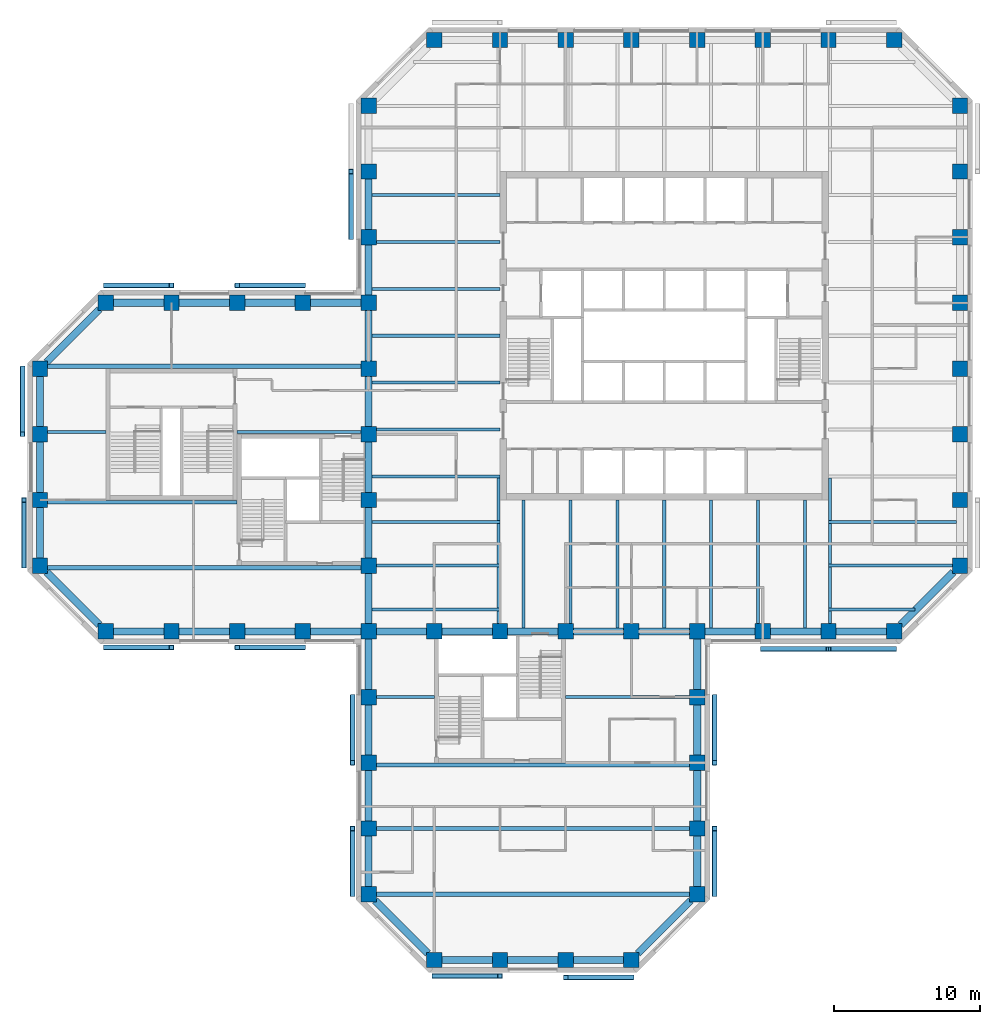
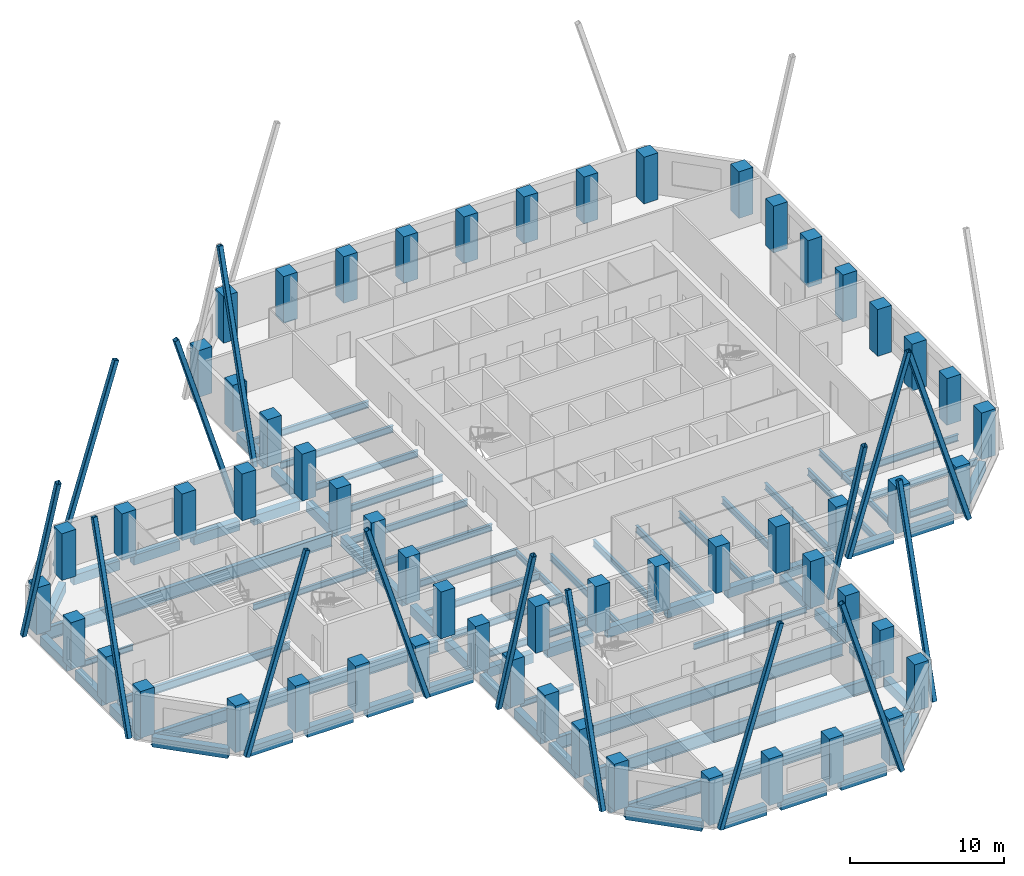
# One storey, part 1 of 10: 74 beams, 57 columns, 15 members.
"""IFC4 building model written with IfcOpenShell, lengths in metres."""

from ifc_helpers import new_model, si_unit, direction, frame, origin, origin_2d, place, context, subcontext, project, spatial, rectangle, hollow_rectangle, i_section, extrude, material, material_profile, profile_set, type_object, element, save


model = new_model("IFC4")

# Units and contexts
model_context = context("Model", 3, precision=1e-05, world=origin(), true_north=direction((0.0, 1.0)))
body_context = subcontext(model_context, "Body", "Model", "MODEL_VIEW")
ifc_project = project(units=[si_unit("LENGTHUNIT", "METRE"), si_unit("AREAUNIT", "SQUARE_METRE"), si_unit("VOLUMEUNIT", "CUBIC_METRE"), si_unit("PLANEANGLEUNIT", "RADIAN"), si_unit("MASSUNIT", "GRAM", prefix="KILO")], contexts=[model_context])

# Site, building, storey
site_placement = place(None, origin())
site = spatial("IfcSite", under=ifc_project, at=site_placement, CompositionType="ELEMENT")
building_placement = place(site_placement, origin())
building = spatial("IfcBuilding", under=site, at=building_placement, Name="Quoin Convention Tower", CompositionType="ELEMENT")
storey_placement = place(building_placement, frame((0.0, 0.0, 97.39990234375)))
storey = spatial("IfcBuildingStorey", under=building, at=storey_placement, Name="L25", CompositionType="ELEMENT", Elevation=97.39990234375)

# Columns
ifc_material_1 = material(Name="Concrete C65", Category="concrete")
ifc_material_profile_1 = material_profile(ifc_material_1, rectangle(XDim=1.050048828125, YDim=1.050048828125, at=origin_2d()), Name="RC 1050x1050")
ifc_profile_set_1 = profile_set([ifc_material_profile_1], Name="Concrete C65")
column_type = type_object("IfcColumnType", Name="RC 1050x1050 C65", PredefinedType="COLUMN", material=ifc_profile_set_1)
for number, where, z_axis, x_axis, name in (
    (1, (40.5, 18.0, 0.0), (0.0, 0.0, 1.0), (1.0, 0.0, 0.0), "col-L25-40500_18000"),
    (2, (45.0, 18.0, 0.0), (0.0, 0.0, 1.0), (1.0, 0.0, 0.0), "col-L25-45000_18000"),
    (3, (49.5, 18.0, 0.0), (0.0, 0.0, 1.0), (1.0, 0.0, 0.0), "col-L25-49500_18000"),
    (4, (54.0, 18.0, 0.0), (0.0, 0.0, 1.0), (1.0, 0.0, 0.0), "col-L25-54000_18000"),
    (5, (36.0, 22.5, 0.0), (0.0, 0.0, 1.0), (1.0, 0.0, 0.0), "col-L25-36000_22500"),
    (6, (58.5, 22.5, 0.0), (0.0, 0.0, 1.0), (1.0, 0.0, 0.0), "col-L25-58500_22500"),
    (7, (36.0, 27.0, 0.0), (0.0, 0.0, 1.0), (1.0, 0.0, 0.0), "col-L25-36000_27000"),
    (8, (58.5, 27.0, 0.0), (0.0, 0.0, 1.0), (1.0, 0.0, 0.0), "col-L25-58500_27000"),
    (9, (36.0, 31.5, 0.0), (0.0, 0.0, 1.0), (1.0, 0.0, 0.0), "col-L25-36000_31500"),
    (10, (58.5, 31.5, 0.0), (0.0, 0.0, 1.0), (1.0, 0.0, 0.0), "col-L25-58500_31500"),
    (11, (36.0, 36.0, 0.0), (0.0, 0.0, 1.0), (1.0, 0.0, 0.0), "col-L25-36000_36000"),
    (12, (58.5, 36.0, 0.0), (0.0, 0.0, 1.0), (1.0, 0.0, 0.0), "col-L25-58500_36000"),
    (13, (18.0, 40.5, 0.0), (0.0, 0.0, 1.0), (1.0, 0.0, 0.0), "col-L25-18000_40500"),
    (14, (22.5, 40.5, 0.0), (0.0, 0.0, 1.0), (1.0, 0.0, 0.0), "col-L25-22500_40500"),
    (15, (27.0, 40.5, 0.0), (0.0, 0.0, 1.0), (1.0, 0.0, 0.0), "col-L25-27000_40500"),
    (16, (31.5, 40.5, 0.0), (0.0, 0.0, 1.0), (1.0, 0.0, 0.0), "col-L25-31500_40500"),
    (17, (36.0, 40.5, 0.0), (0.0, 0.0, 1.0), (1.0, 0.0, 0.0), "col-L25-36000_40500"),
    (18, (40.5, 40.5, 0.0), (0.0, 0.0, 1.0), (1.0, 0.0, 0.0), "web-L25-40500_40500"),
    (19, (45.0, 40.5, 0.0), (0.0, 0.0, 1.0), (1.0, 0.0, 0.0), "web-L25-45000_40500"),
    (20, (49.5, 40.5, 0.0), (0.0, 0.0, 1.0), (1.0, 0.0, 0.0), "web-L25-49500_40500"),
    (21, (54.0, 40.5, 0.0), (0.0, 0.0, 1.0), (1.0, 0.0, 0.0), "web-L25-54000_40500"),
    (22, (58.5, 40.5, 0.0), (0.0, 0.0, 1.0), (1.0, 0.0, 0.0), "col-L25-58500_40500"),
    (23, (63.0, 40.5, 0.0), (0.0, 0.0, 1.0), (1.0, 0.0, 0.0), "col-L25-63000_40500"),
    (24, (67.5, 40.5, 0.0), (0.0, 0.0, 1.0), (1.0, 0.0, 0.0), "col-L25-67500_40500"),
    (25, (72.0, 40.5, 0.0), (0.0, 0.0, 1.0), (1.0, 0.0, 0.0), "col-L25-72000_40500"),
    (26, (13.5, 45.0, 0.0), (0.0, 0.0, 1.0), (1.0, 0.0, 0.0), "col-L25-13500_45000"),
    (27, (36.0, 45.0, 0.0), (0.0, 0.0, 1.0), (1.0, 0.0, 0.0), "web-L25-36000_45000"),
    (28, (76.5, 45.0, 0.0), (0.0, 0.0, 1.0), (1.0, 0.0, 0.0), "col-L25-76500_45000"),
    (29, (13.5, 49.5, 0.0), (0.0, 0.0, 1.0), (1.0, 0.0, 0.0), "col-L25-13500_49500"),
    (30, (36.0, 49.5, 0.0), (0.0, 0.0, 1.0), (1.0, 0.0, 0.0), "web-L25-36000_49500"),
    (31, (76.5, 49.5, 0.0), (0.0, 0.0, 1.0), (1.0, 0.0, 0.0), "col-L25-76500_49500"),
    (32, (13.5, 54.0, 0.0), (0.0, 0.0, 1.0), (1.0, 0.0, 0.0), "col-L25-13500_54000"),
    (33, (36.0, 54.0, 0.0), (0.0, 0.0, 1.0), (1.0, 0.0, 0.0), "web-L25-36000_54000"),
    (34, (76.5, 54.0, 0.0), (0.0, 0.0, 1.0), (1.0, 0.0, 0.0), "col-L25-76500_54000"),
    (35, (13.5, 58.5, 0.0), (0.0, 0.0, 1.0), (1.0, 0.0, 0.0), "col-L25-13500_58500"),
    (36, (36.0, 58.5, 0.0), (0.0, 0.0, 1.0), (1.0, 0.0, 0.0), "web-L25-36000_58500"),
    (37, (76.5, 58.5, 0.0), (0.0, 0.0, 1.0), (1.0, 0.0, 0.0), "col-L25-76500_58500"),
    (38, (18.0, 63.0, 0.0), (0.0, 0.0, 1.0), (1.0, 0.0, 0.0), "col-L25-18000_63000"),
    (39, (22.5, 63.0, 0.0), (0.0, 0.0, 1.0), (1.0, 0.0, 0.0), "col-L25-22500_63000"),
    (40, (27.0, 63.0, 0.0), (0.0, 0.0, 1.0), (1.0, 0.0, 0.0), "col-L25-27000_63000"),
    (41, (31.5, 63.0, 0.0), (0.0, 0.0, 1.0), (1.0, 0.0, 0.0), "col-L25-31500_63000"),
    (42, (36.0, 63.0, 0.0), (0.0, 0.0, 1.0), (1.0, 0.0, 0.0), "col-L25-36000_63000"),
    (43, (76.5, 63.0, 0.0), (0.0, 0.0, 1.0), (1.0, 0.0, 0.0), "col-L25-76500_63000"),
    (44, (36.0, 67.5, 0.0), (0.0, 0.0, 1.0), (1.0, 0.0, 0.0), "col-L25-36000_67500"),
    (45, (76.5, 67.5, 0.0), (0.0, 0.0, 1.0), (1.0, 0.0, 0.0), "col-L25-76500_67500"),
    (46, (36.0, 72.0, 0.0), (0.0, 0.0, 1.0), (1.0, 0.0, 0.0), "col-L25-36000_72000"),
    (47, (76.5, 72.0, 0.0), (0.0, 0.0, 1.0), (1.0, 0.0, 0.0), "col-L25-76500_72000"),
    (48, (36.0, 76.5, 0.0), (0.0, 0.0, 1.0), (1.0, 0.0, 0.0), "col-L25-36000_76500"),
    (49, (76.5, 76.5, 0.0), (0.0, 0.0, 1.0), (1.0, 0.0, 0.0), "col-L25-76500_76500"),
    (50, (40.5, 81.0, 0.0), (0.0, 0.0, 1.0), (1.0, 0.0, 0.0), "col-L25-40500_81000"),
    (51, (45.0, 81.0, 0.0), (0.0, 0.0, 1.0), (1.0, 0.0, 0.0), "col-L25-45000_81000"),
    (52, (49.5, 81.0, 0.0), (0.0, 0.0, 1.0), (1.0, 0.0, 0.0), "col-L25-49500_81000"),
    (53, (54.0, 81.0, 0.0), (0.0, 0.0, 1.0), (1.0, 0.0, 0.0), "col-L25-54000_81000"),
    (54, (58.5, 81.0, 0.0), (0.0, 0.0, 1.0), (1.0, 0.0, 0.0), "col-L25-58500_81000"),
    (55, (63.0, 81.0, 0.0), (0.0, 0.0, 1.0), (1.0, 0.0, 0.0), "col-L25-63000_81000"),
    (56, (67.5, 81.0, 0.0), (0.0, 0.0, 1.0), (1.0, 0.0, 0.0), "col-L25-67500_81000"),
    (57, (72.0, 81.0, 0.0), (0.0, 0.0, 1.0), (1.0, 0.0, 0.0), "col-L25-72000_81000"),
):
    element("IfcColumn", number, at=place(storey_placement, frame(where, z_axis=z_axis, x_axis=x_axis)), inside=storey, type_object=column_type, Name=name, PredefinedType="COLUMN", context=body_context, shape_type="SweptSolid", body=[
        extrude(rectangle(XDim=1.050048828125, YDim=1.050048828125, at=origin_2d()), origin(), (0.0, 0.0, 1.0), 3.7001953125),
    ])

# Beams
ifc_material_2 = material(Name="Steel Grade 300", Category="steel")
ifc_material_profile_2 = material_profile(ifc_material_2, i_section(OverallWidth=0.300048828125, OverallDepth=1.0, WebThickness=0.01611328125, FlangeThickness=0.02001953125, at=origin_2d()), Name="1000WB215")
ifc_profile_set_2 = profile_set([ifc_material_profile_2], Name="Steel Grade 300")
beam_type_1 = type_object("IfcBeamType", Name="1000WB215", PredefinedType="BEAM", material=ifc_profile_set_2)
for number, where, z_axis, x_axis, name in (
    (58, (36.52490234375, 22.5, -0.64990234375), (1.0, 0.0, 0.0), (0.0, 1.0, 0.0), "gir-L25-ST3-1-0"),
    (59, (36.52490234375, 27.0, -0.64990234375), (1.0, 0.0, 0.0), (0.0, 1.0, 0.0), "gir-L25-ST3-2-0"),
    (60, (36.52490234375, 31.35009765625, -0.64990234375), (1.0, 0.0, 0.0), (0.0, 1.0, 0.0), "gir-L25-ST3-3-0"),
    (61, (14.02490234375, 44.85009765625, -0.64990234375), (1.0, 0.0, 0.0), (0.0, 1.0, 0.0), "gir-L25-ST2-1-0"),
    (62, (14.02490234375, 58.64990234375, -0.64990234375), (1.0, 0.0, 0.0), (0.0, 1.0, 0.0), "gir-L25-ST2-4-0"),
):
    element("IfcBeam", number, at=place(storey_placement, frame(where, z_axis=z_axis, x_axis=x_axis)), inside=storey, type_object=beam_type_1, Name=name, PredefinedType="BEAM", context=body_context, shape_type="SweptSolid", body=[
        extrude(i_section(OverallWidth=0.300048828125, OverallDepth=1.0, WebThickness=0.01611328125, FlangeThickness=0.02001953125, at=origin_2d()), origin(), (0.0, 0.0, 1.0), 21.4501953125),
    ])
ifc_material_profile_3 = material_profile(ifc_material_2, i_section(OverallWidth=0.18994140625, OverallDepth=0.4541015625, WebThickness=0.008544921875, FlangeThickness=0.0126953125, FilletRadius=0.011474609375, at=origin_2d()), Name="460UB67.1")
ifc_profile_set_3 = profile_set([ifc_material_profile_3], Name="Steel Grade 300")
beam_type_2 = type_object("IfcBeamType", Name="460UB67.1", PredefinedType="BEAM", material=ifc_profile_set_3)
for number, where, z_axis, x_axis, name in (
    (63, (44.8955078125, 41.02490234375, -0.376953125), (0.0, 1.0, 0.0), (-1.0, 0.0, 0.0), "gir-L25-T1SW"),
    (64, (67.6044921875, 41.02490234375, -0.376953125), (0.0, 1.0, 0.0), (-1.0, 0.0, 0.0), "gir-L25-T1SE"),
):
    element("IfcBeam", number, at=place(storey_placement, frame(where, z_axis=z_axis, x_axis=x_axis)), inside=storey, type_object=beam_type_2, Name=name, PredefinedType="BEAM", context=body_context, shape_type="SweptSolid", body=[
        extrude(i_section(OverallWidth=0.18994140625, OverallDepth=0.4541015625, WebThickness=0.008544921875, FlangeThickness=0.0126953125, FilletRadius=0.011474609375, at=origin_2d()), origin(), (0.0, 0.0, 1.0), 9.977783203125),
    ])
beam_1_placement = place(storey_placement, frame((36.52490234375, 36.0, -0.376953125), z_axis=(1.0, 0.0, 0.0), x_axis=(0.0, 1.0, 0.0)))
element("IfcBeam", 65, at=beam_1_placement, inside=storey, type_object=beam_type_2, Name="gir-L25-ST3-4-0", PredefinedType="BEAM", context=body_context, shape_type="SweptSolid", body=[
    extrude(i_section(OverallWidth=0.18994140625, OverallDepth=0.4541015625, WebThickness=0.008544921875, FlangeThickness=0.0126953125, FilletRadius=0.011474609375, at=origin_2d()), origin(), (0.0, 0.0, 1.0), 3.97509765625),
])
beam_2_placement = place(storey_placement, frame((49.5, 36.0, -0.376953125), z_axis=(1.0, 0.0, 0.0), x_axis=(0.0, 1.0, 0.0)))
element("IfcBeam", 66, at=beam_2_placement, inside=storey, type_object=beam_type_2, Name="gir-L25-ST3-4-1", PredefinedType="BEAM", context=body_context, shape_type="SweptSolid", body=[
    extrude(i_section(OverallWidth=0.18994140625, OverallDepth=0.4541015625, WebThickness=0.008544921875, FlangeThickness=0.0126953125, FilletRadius=0.011474609375, at=origin_2d()), origin(), (0.0, 0.0, 1.0), 8.47509765625),
])
beam_3_placement = place(storey_placement, frame((14.02490234375, 54.14990234375, -0.376953125), z_axis=(1.0, 0.0, 0.0), x_axis=(0.0, 1.0, 0.0)))
element("IfcBeam", 67, at=beam_3_placement, inside=storey, type_object=beam_type_2, Name="gir-L25-ST2-3-0", PredefinedType="BEAM", context=body_context, shape_type="SweptSolid", body=[
    extrude(i_section(OverallWidth=0.18994140625, OverallDepth=0.4541015625, WebThickness=0.008544921875, FlangeThickness=0.0126953125, FilletRadius=0.011474609375, at=origin_2d()), origin(), (0.0, 0.0, 1.0), 3.97509765625),
])
beam_4_placement = place(storey_placement, frame((27.0, 54.14990234375, -0.376953125), z_axis=(1.0, 0.0, 0.0), x_axis=(0.0, 1.0, 0.0)))
element("IfcBeam", 68, at=beam_4_placement, inside=storey, type_object=beam_type_2, Name="gir-L25-ST2-3-1", PredefinedType="BEAM", context=body_context, shape_type="SweptSolid", body=[
    extrude(i_section(OverallWidth=0.18994140625, OverallDepth=0.4541015625, WebThickness=0.008544921875, FlangeThickness=0.0126953125, FilletRadius=0.011474609375, at=origin_2d()), origin(), (0.0, 0.0, 1.0), 8.47509765625),
])
ifc_material_profile_4 = material_profile(ifc_material_2, i_section(OverallWidth=0.208984375, OverallDepth=0.528076171875, WebThickness=0.009521484375, FlangeThickness=0.01318359375, FilletRadius=0.013916015625, at=origin_2d()), Name="530UB82.0")
ifc_profile_set_4 = profile_set([ifc_material_profile_4], Name="Steel Grade 300")
beam_type_3 = type_object("IfcBeamType", Name="530UB82.0", PredefinedType="BEAM", material=ifc_profile_set_4)
beam_5_placement = place(storey_placement, frame((36.25, 51.107177734375, -0.413818359375), z_axis=(1.0, 0.0, 0.0), x_axis=(0.0, 1.0, 0.0)))
element("IfcBeam", 69, at=beam_5_placement, inside=storey, type_object=beam_type_3, Name="bm-L25-T1W0", PredefinedType="BEAM", context=body_context, shape_type="SweptSolid", body=[
    extrude(i_section(OverallWidth=0.208984375, OverallDepth=0.528076171875, WebThickness=0.009521484375, FlangeThickness=0.01318359375, FilletRadius=0.013916015625, at=origin_2d()), origin(), (0.0, 0.0, 1.0), 8.75),
])
beam_6_placement = place(storey_placement, frame((36.52490234375, 54.3212890625, -0.413818359375), z_axis=(1.0, 0.0, 0.0), x_axis=(0.0, 1.0, 0.0)))
element("IfcBeam", 70, at=beam_6_placement, inside=storey, type_object=beam_type_3, Name="bm-L25-T1W1", PredefinedType="BEAM", context=body_context, shape_type="SweptSolid", body=[
    extrude(i_section(OverallWidth=0.208984375, OverallDepth=0.528076171875, WebThickness=0.009521484375, FlangeThickness=0.01318359375, FilletRadius=0.013916015625, at=origin_2d()), origin(), (0.0, 0.0, 1.0), 8.47509765625),
])
for number, where, z_axis, x_axis, name in (
    (71, (36.25, 57.53564453125, -0.413818359375), (1.0, 0.0, 0.0), (0.0, 1.0, 0.0), "bm-L25-T1W2"),
    (72, (36.25, 60.75, -0.413818359375), (1.0, 0.0, 0.0), (0.0, 1.0, 0.0), "bm-L25-T1W3"),
    (73, (36.25, 63.96435546875, -0.413818359375), (1.0, 0.0, 0.0), (0.0, 1.0, 0.0), "bm-L25-T1W4"),
):
    element("IfcBeam", number, at=place(storey_placement, frame(where, z_axis=z_axis, x_axis=x_axis)), inside=storey, type_object=beam_type_3, Name=name, PredefinedType="BEAM", context=body_context, shape_type="SweptSolid", body=[
        extrude(i_section(OverallWidth=0.208984375, OverallDepth=0.528076171875, WebThickness=0.009521484375, FlangeThickness=0.01318359375, FilletRadius=0.013916015625, at=origin_2d()), origin(), (0.0, 0.0, 1.0), 8.75),
    ])
beam_7_placement = place(storey_placement, frame((36.52490234375, 67.1787109375, -0.413818359375), z_axis=(1.0, 0.0, 0.0), x_axis=(0.0, 1.0, 0.0)))
element("IfcBeam", 74, at=beam_7_placement, inside=storey, type_object=beam_type_3, Name="bm-L25-T1W5", PredefinedType="BEAM", context=body_context, shape_type="SweptSolid", body=[
    extrude(i_section(OverallWidth=0.208984375, OverallDepth=0.528076171875, WebThickness=0.009521484375, FlangeThickness=0.01318359375, FilletRadius=0.013916015625, at=origin_2d()), origin(), (0.0, 0.0, 1.0), 8.47509765625),
])
for number, where, z_axis, x_axis, name in (
    (75, (36.25, 70.392822265625, -0.413818359375), (1.0, 0.0, 0.0), (0.0, 1.0, 0.0), "bm-L25-T1W6"),
    (76, (46.607177734375, 40.75, -0.413818359375), (0.0, 1.0, 0.0), (-1.0, 0.0, 0.0), "bm-L25-T1S0"),
):
    element("IfcBeam", number, at=place(storey_placement, frame(where, z_axis=z_axis, x_axis=x_axis)), inside=storey, type_object=beam_type_3, Name=name, PredefinedType="BEAM", context=body_context, shape_type="SweptSolid", body=[
        extrude(i_section(OverallWidth=0.208984375, OverallDepth=0.528076171875, WebThickness=0.009521484375, FlangeThickness=0.01318359375, FilletRadius=0.013916015625, at=origin_2d()), origin(), (0.0, 0.0, 1.0), 8.75),
    ])
beam_8_placement = place(storey_placement, frame((49.8212890625, 41.02490234375, -0.413818359375), z_axis=(0.0, 1.0, 0.0), x_axis=(-1.0, 0.0, 0.0)))
element("IfcBeam", 77, at=beam_8_placement, inside=storey, type_object=beam_type_3, Name="bm-L25-T1S1", PredefinedType="BEAM", context=body_context, shape_type="SweptSolid", body=[
    extrude(i_section(OverallWidth=0.208984375, OverallDepth=0.528076171875, WebThickness=0.009521484375, FlangeThickness=0.01318359375, FilletRadius=0.013916015625, at=origin_2d()), origin(), (0.0, 0.0, 1.0), 8.47509765625),
])
for number, where, z_axis, x_axis, name in (
    (78, (53.03564453125, 40.75, -0.413818359375), (0.0, 1.0, 0.0), (-1.0, 0.0, 0.0), "bm-L25-T1S2"),
    (79, (56.25, 40.75, -0.413818359375), (0.0, 1.0, 0.0), (-1.0, 0.0, 0.0), "bm-L25-T1S3"),
    (80, (59.46435546875, 40.75, -0.413818359375), (0.0, 1.0, 0.0), (-1.0, 0.0, 0.0), "bm-L25-T1S4"),
):
    element("IfcBeam", number, at=place(storey_placement, frame(where, z_axis=z_axis, x_axis=x_axis)), inside=storey, type_object=beam_type_3, Name=name, PredefinedType="BEAM", context=body_context, shape_type="SweptSolid", body=[
        extrude(i_section(OverallWidth=0.208984375, OverallDepth=0.528076171875, WebThickness=0.009521484375, FlangeThickness=0.01318359375, FilletRadius=0.013916015625, at=origin_2d()), origin(), (0.0, 0.0, 1.0), 8.75),
    ])
beam_9_placement = place(storey_placement, frame((62.6787109375, 41.02490234375, -0.413818359375), z_axis=(0.0, 1.0, 0.0), x_axis=(-1.0, 0.0, 0.0)))
element("IfcBeam", 81, at=beam_9_placement, inside=storey, type_object=beam_type_3, Name="bm-L25-T1S5", PredefinedType="BEAM", context=body_context, shape_type="SweptSolid", body=[
    extrude(i_section(OverallWidth=0.208984375, OverallDepth=0.528076171875, WebThickness=0.009521484375, FlangeThickness=0.01318359375, FilletRadius=0.013916015625, at=origin_2d()), origin(), (0.0, 0.0, 1.0), 8.47509765625),
])
for number, where, z_axis, x_axis, name in (
    (82, (65.892822265625, 40.75, -0.413818359375), (0.0, 1.0, 0.0), (-1.0, 0.0, 0.0), "bm-L25-T1S6"),
    (83, (36.25, 42.0, -0.413818359375), (1.0, 0.0, 0.0), (0.0, 1.0, 0.0), "bm-L25-T1SW0"),
):
    element("IfcBeam", number, at=place(storey_placement, frame(where, z_axis=z_axis, x_axis=x_axis)), inside=storey, type_object=beam_type_3, Name=name, PredefinedType="BEAM", context=body_context, shape_type="SweptSolid", body=[
        extrude(i_section(OverallWidth=0.208984375, OverallDepth=0.528076171875, WebThickness=0.009521484375, FlangeThickness=0.01318359375, FilletRadius=0.013916015625, at=origin_2d()), origin(), (0.0, 0.0, 1.0), 8.75),
    ])
beam_10_placement = place(storey_placement, frame((36.52490234375, 45.0, -0.413818359375), z_axis=(1.0, 0.0, 0.0), x_axis=(0.0, 1.0, 0.0)))
element("IfcBeam", 84, at=beam_10_placement, inside=storey, type_object=beam_type_3, Name="bm-L25-T1SW1", PredefinedType="BEAM", context=body_context, shape_type="SweptSolid", body=[
    extrude(i_section(OverallWidth=0.208984375, OverallDepth=0.528076171875, WebThickness=0.009521484375, FlangeThickness=0.01318359375, FilletRadius=0.013916015625, at=origin_2d()), origin(), (0.0, 0.0, 1.0), 8.47509765625),
])
beam_11_placement = place(storey_placement, frame((36.25, 48.0, -0.413818359375), z_axis=(1.0, 0.0, 0.0), x_axis=(0.0, 1.0, 0.0)))
element("IfcBeam", 85, at=beam_11_placement, inside=storey, type_object=beam_type_3, Name="bm-L25-T1SW2", PredefinedType="BEAM", context=body_context, shape_type="SweptSolid", body=[
    extrude(i_section(OverallWidth=0.208984375, OverallDepth=0.528076171875, WebThickness=0.009521484375, FlangeThickness=0.01318359375, FilletRadius=0.013916015625, at=origin_2d()), origin(), (0.0, 0.0, 1.0), 8.75),
])
beam_12_placement = place(storey_placement, frame((67.5, 42.0, -0.413818359375), z_axis=(1.0, 0.0, 0.0), x_axis=(0.0, 1.0, 0.0)))
element("IfcBeam", 86, at=beam_12_placement, inside=storey, type_object=beam_type_3, Name="bm-L25-T1SE0", PredefinedType="BEAM", context=body_context, shape_type="SweptSolid", body=[
    extrude(i_section(OverallWidth=0.208984375, OverallDepth=0.528076171875, WebThickness=0.009521484375, FlangeThickness=0.01318359375, FilletRadius=0.013916015625, at=origin_2d()), origin(), (0.0, 0.0, 1.0), 5.927734375),
])
beam_13_placement = place(storey_placement, frame((67.5, 45.0, -0.413818359375), z_axis=(1.0, 0.0, 0.0), x_axis=(0.0, 1.0, 0.0)))
element("IfcBeam", 87, at=beam_13_placement, inside=storey, type_object=beam_type_3, Name="bm-L25-T1SE1", PredefinedType="BEAM", context=body_context, shape_type="SweptSolid", body=[
    extrude(i_section(OverallWidth=0.208984375, OverallDepth=0.528076171875, WebThickness=0.009521484375, FlangeThickness=0.01318359375, FilletRadius=0.013916015625, at=origin_2d()), origin(), (0.0, 0.0, 1.0), 8.47509765625),
])
beam_14_placement = place(storey_placement, frame((67.5, 48.0, -0.413818359375), z_axis=(1.0, 0.0, 0.0), x_axis=(0.0, 1.0, 0.0)))
element("IfcBeam", 88, at=beam_14_placement, inside=storey, type_object=beam_type_3, Name="bm-L25-T1SE2", PredefinedType="BEAM", context=body_context, shape_type="SweptSolid", body=[
    extrude(i_section(OverallWidth=0.208984375, OverallDepth=0.528076171875, WebThickness=0.009521484375, FlangeThickness=0.01318359375, FilletRadius=0.013916015625, at=origin_2d()), origin(), (0.0, 0.0, 1.0), 8.75),
])
ifc_material_profile_5 = material_profile(ifc_material_2, i_section(OverallWidth=0.22802734375, OverallDepth=0.60205078125, WebThickness=0.010498046875, FlangeThickness=0.014892578125, FilletRadius=0.013916015625, at=origin_2d()), Name="610UB101")
ifc_profile_set_5 = profile_set([ifc_material_profile_5], Name="Steel Grade 300")
beam_type_4 = type_object("IfcBeamType", Name="610UB101", PredefinedType="BEAM", material=ifc_profile_set_5)
beam_15_placement = place(storey_placement, frame((14.02490234375, 49.35009765625, -0.450927734375), z_axis=(1.0, 0.0, 0.0), x_axis=(0.0, 1.0, 0.0)))
element("IfcBeam", 89, at=beam_15_placement, inside=storey, type_object=beam_type_4, Name="gir-L25-ST2-2-0", PredefinedType="BEAM", context=body_context, shape_type="SweptSolid", body=[
    extrude(i_section(OverallWidth=0.22802734375, OverallDepth=0.60205078125, WebThickness=0.010498046875, FlangeThickness=0.014892578125, FilletRadius=0.013916015625, at=origin_2d()), origin(), (0.0, 0.0, 1.0), 12.97509765625),
])

# Members
ifc_material_3 = material(Name="Steel C450L0", Category="steel")
ifc_material_profile_6 = material_profile(ifc_material_3, hollow_rectangle(XDim=0.35009765625, YDim=0.35009765625, WallThickness=0.01611328125, InnerFilletRadius=0.02392578125, OuterFilletRadius=0.0400390625, at=origin_2d()), Name="350x350x16.0SHS")
ifc_profile_set_6 = profile_set([ifc_material_profile_6], Name="Steel C450L0")
member_type = type_object("IfcMemberType", Name="Exposed brace 350x350x16.0SHS", PredefinedType="BRACE", material=ifc_profile_set_6)
for number, where, z_axis, x_axis, name in (
    (90, (12.300048828125, 58.5, -0.074951171875), (0.0, -0.290903487189, 0.956752403259), (1.0, 0.0, 0.0), "brc-L25-13500_58500-13500_54000"),
    (91, (12.39990234375, 45.0, -0.074951171875), (0.0, 0.290903487189, 0.956752403259), (-1.0, 0.0, 0.0), "brc-L25-13500_49500-13500_45000"),
    (92, (18.0, 39.39990234375, -0.074951171875), (0.290903487189, 0.0, 0.956752403259), (0.0, 1.0, 0.0), "brc-L25-18000_40500-22500_40500"),
    (93, (31.5, 39.39990234375, -0.074951171875), (-0.290903487189, 0.0, 0.956752403259), (0.0, -1.0, 0.0), "brc-L25-27000_40500-31500_40500"),
    (94, (34.89990234375, 36.0, -0.074951171875), (0.0, -0.290903487189, 0.956752403259), (1.0, 0.0, 0.0), "brc-L25-36000_36000-36000_31500"),
    (95, (34.89990234375, 22.5, -0.074951171875), (0.0, 0.290903487189, 0.956752403259), (-1.0, 0.0, 0.0), "brc-L25-36000_27000-36000_22500"),
    (96, (31.5, 64.199951171875, -0.074951171875), (-0.290903487189, 0.0, 0.956752403259), (0.0, -1.0, 0.0), "brc-L25-31500_63000-27000_63000"),
    (97, (18.0, 64.199951171875, -0.074951171875), (0.290903487189, 0.0, 0.956752403259), (0.0, 1.0, 0.0), "brc-L25-22500_63000-18000_63000"),
    (98, (34.800048828125, 67.5, -0.074951171875), (0.0, 0.290903487189, 0.956752403259), (-1.0, 0.0, 0.0), "brc-L25-36000_72000-36000_67500"),
    (99, (40.5, 16.89990234375, -0.074951171875), (0.290903487189, 0.0, 0.956752403259), (0.0, 1.0, 0.0), "brc-L25-40500_18000-45000_18000"),
    (100, (54.0, 16.800048828125, -0.074951171875), (-0.290903487189, 0.0, 0.956752403259), (0.0, -1.0, 0.0), "brc-L25-49500_18000-54000_18000"),
    (101, (59.699951171875, 22.5, -0.074951171875), (0.0, 0.290903487189, 0.956752403259), (-1.0, 0.0, 0.0), "brc-L25-58500_22500-58500_27000"),
    (102, (59.699951171875, 36.0, -0.074951171875), (0.0, -0.290903487189, 0.956752403259), (1.0, 0.0, 0.0), "brc-L25-58500_31500-58500_36000"),
    (103, (63.0, 39.300048828125, -0.074951171875), (0.290903487189, 0.0, 0.956752403259), (0.0, 1.0, 0.0), "brc-L25-63000_40500-67500_40500"),
    (104, (72.0, 39.300048828125, -0.074951171875), (-0.290903487189, 0.0, 0.956752403259), (0.0, -1.0, 0.0), "brc-L25-67500_40500-72000_40500"),
):
    element("IfcMember", number, at=place(storey_placement, frame(where, z_axis=z_axis, x_axis=x_axis)), inside=storey, type_object=member_type, Name=name, PredefinedType="BRACE", context=body_context, shape_type="SweptSolid", body=[
        extrude(hollow_rectangle(XDim=0.35009765625, YDim=0.35009765625, WallThickness=0.01611328125, InnerFilletRadius=0.02392578125, OuterFilletRadius=0.0400390625, at=origin_2d()), origin(), (0.0, 0.0, 1.0), 15.468994140625),
    ])

# Beams
ifc_material_profile_7 = material_profile(ifc_material_1, rectangle(XDim=0.5, YDim=0.75, at=origin_2d()), Name="RC 500x750")
ifc_profile_set_7 = profile_set([ifc_material_profile_7], Name="Concrete C65")
beam_type_5 = type_object("IfcBeamType", Name="RC 500x750 C65", PredefinedType="SPANDREL", material=ifc_profile_set_7)
for number, where, z_axis, x_axis, name in (
    (105, (59.02490234375, 40.5, -0.52490234375), (1.0, 0.0, 0.0), (0.0, 1.0, 0.0), "spd-L25-58500_40500-63000_40500"),
    (106, (63.52490234375, 40.5, -0.52490234375), (1.0, 0.0, 0.0), (0.0, 1.0, 0.0), "spd-L25-63000_40500-67500_40500"),
    (107, (68.02490234375, 40.5, -0.52490234375), (1.0, 0.0, 0.0), (0.0, 1.0, 0.0), "spd-L25-67500_40500-72000_40500"),
):
    element("IfcBeam", number, at=place(storey_placement, frame(where, z_axis=z_axis, x_axis=x_axis)), inside=storey, type_object=beam_type_5, Name=name, PredefinedType="SPANDREL", context=body_context, shape_type="SweptSolid", body=[
        extrude(rectangle(XDim=0.5, YDim=0.75, at=origin_2d()), origin(), (0.0, 0.0, 1.0), 3.4501953125),
    ])
beam_16_placement = place(storey_placement, frame((72.440185546875, 40.940185546875, -0.52490234375), z_axis=(0.707106781187, 0.707106781187, 0.0), x_axis=(-0.707106781187, 0.707106781187, 0.0)))
element("IfcBeam", 108, at=beam_16_placement, inside=storey, type_object=beam_type_5, Name="spd-L25-72000_40500-76500_45000", PredefinedType="SPANDREL", context=body_context, shape_type="SweptSolid", body=[
    extrude(rectangle(XDim=0.5, YDim=0.75, at=origin_2d()), origin(), (0.0, 0.0, 1.0), 5.118896484375),
])
for number, where, z_axis, x_axis, name in (
    (109, (36.0, 71.47509765625, -0.52490234375), (0.0, -1.0, 0.0), (1.0, 0.0, 0.0), "spd-L25-36000_72000-36000_67500"),
    (110, (36.0, 66.97509765625, -0.52490234375), (0.0, -1.0, 0.0), (1.0, 0.0, 0.0), "spd-L25-36000_67500-36000_63000"),
    (111, (35.47509765625, 63.0, -0.52490234375), (-1.0, 0.0, 0.0), (0.0, -1.0, 0.0), "spd-L25-36000_63000-31500_63000"),
    (112, (30.97509765625, 63.0, -0.52490234375), (-1.0, 0.0, 0.0), (0.0, -1.0, 0.0), "spd-L25-31500_63000-27000_63000"),
    (113, (26.47509765625, 63.0, -0.52490234375), (-1.0, 0.0, 0.0), (0.0, -1.0, 0.0), "spd-L25-27000_63000-22500_63000"),
    (114, (21.97509765625, 63.0, -0.52490234375), (-1.0, 0.0, 0.0), (0.0, -1.0, 0.0), "spd-L25-22500_63000-18000_63000"),
):
    element("IfcBeam", number, at=place(storey_placement, frame(where, z_axis=z_axis, x_axis=x_axis)), inside=storey, type_object=beam_type_5, Name=name, PredefinedType="SPANDREL", context=body_context, shape_type="SweptSolid", body=[
        extrude(rectangle(XDim=0.5, YDim=0.75, at=origin_2d()), origin(), (0.0, 0.0, 1.0), 3.4501953125),
    ])
beam_17_placement = place(storey_placement, frame((17.559814453125, 62.559814453125, -0.52490234375), z_axis=(-0.707106781187, -0.707106781187, 0.0), x_axis=(0.707106781187, -0.707106781187, 0.0)))
element("IfcBeam", 115, at=beam_17_placement, inside=storey, type_object=beam_type_5, Name="spd-L25-18000_63000-13500_58500", PredefinedType="SPANDREL", context=body_context, shape_type="SweptSolid", body=[
    extrude(rectangle(XDim=0.5, YDim=0.75, at=origin_2d()), origin(), (0.0, 0.0, 1.0), 5.118896484375),
])
for number, where, z_axis, x_axis, name in (
    (116, (13.5, 57.97509765625, -0.52490234375), (0.0, -1.0, 0.0), (1.0, 0.0, 0.0), "spd-L25-13500_58500-13500_54000"),
    (117, (13.5, 53.47509765625, -0.52490234375), (0.0, -1.0, 0.0), (1.0, 0.0, 0.0), "spd-L25-13500_54000-13500_49500"),
    (118, (13.5, 48.97509765625, -0.52490234375), (0.0, -1.0, 0.0), (1.0, 0.0, 0.0), "spd-L25-13500_49500-13500_45000"),
):
    element("IfcBeam", number, at=place(storey_placement, frame(where, z_axis=z_axis, x_axis=x_axis)), inside=storey, type_object=beam_type_5, Name=name, PredefinedType="SPANDREL", context=body_context, shape_type="SweptSolid", body=[
        extrude(rectangle(XDim=0.5, YDim=0.75, at=origin_2d()), origin(), (0.0, 0.0, 1.0), 3.4501953125),
    ])
beam_18_placement = place(storey_placement, frame((13.940185546875, 44.559814453125, -0.52490234375), z_axis=(0.707106781187, -0.707106781187, 0.0), x_axis=(0.707106781187, 0.707106781187, 0.0)))
element("IfcBeam", 119, at=beam_18_placement, inside=storey, type_object=beam_type_5, Name="spd-L25-13500_45000-18000_40500", PredefinedType="SPANDREL", context=body_context, shape_type="SweptSolid", body=[
    extrude(rectangle(XDim=0.5, YDim=0.75, at=origin_2d()), origin(), (0.0, 0.0, 1.0), 5.118896484375),
])
for number, where, z_axis, x_axis, name in (
    (120, (18.52490234375, 40.5, -0.52490234375), (1.0, 0.0, 0.0), (0.0, 1.0, 0.0), "spd-L25-18000_40500-22500_40500"),
    (121, (23.02490234375, 40.5, -0.52490234375), (1.0, 0.0, 0.0), (0.0, 1.0, 0.0), "spd-L25-22500_40500-27000_40500"),
    (122, (27.52490234375, 40.5, -0.52490234375), (1.0, 0.0, 0.0), (0.0, 1.0, 0.0), "spd-L25-27000_40500-31500_40500"),
    (123, (32.02490234375, 40.5, -0.52490234375), (1.0, 0.0, 0.0), (0.0, 1.0, 0.0), "spd-L25-31500_40500-36000_40500"),
    (124, (36.0, 39.97509765625, -0.52490234375), (0.0, -1.0, 0.0), (1.0, 0.0, 0.0), "spd-L25-36000_40500-36000_36000"),
    (125, (36.0, 35.47509765625, -0.52490234375), (0.0, -1.0, 0.0), (1.0, 0.0, 0.0), "spd-L25-36000_36000-36000_31500"),
    (126, (36.0, 30.97509765625, -0.52490234375), (0.0, -1.0, 0.0), (1.0, 0.0, 0.0), "spd-L25-36000_31500-36000_27000"),
    (127, (36.0, 26.47509765625, -0.52490234375), (0.0, -1.0, 0.0), (1.0, 0.0, 0.0), "spd-L25-36000_27000-36000_22500"),
):
    element("IfcBeam", number, at=place(storey_placement, frame(where, z_axis=z_axis, x_axis=x_axis)), inside=storey, type_object=beam_type_5, Name=name, PredefinedType="SPANDREL", context=body_context, shape_type="SweptSolid", body=[
        extrude(rectangle(XDim=0.5, YDim=0.75, at=origin_2d()), origin(), (0.0, 0.0, 1.0), 3.4501953125),
    ])
beam_19_placement = place(storey_placement, frame((36.440185546875, 22.059814453125, -0.52490234375), z_axis=(0.707106781187, -0.707106781187, 0.0), x_axis=(0.707106781187, 0.707106781187, 0.0)))
element("IfcBeam", 128, at=beam_19_placement, inside=storey, type_object=beam_type_5, Name="spd-L25-36000_22500-40500_18000", PredefinedType="SPANDREL", context=body_context, shape_type="SweptSolid", body=[
    extrude(rectangle(XDim=0.5, YDim=0.75, at=origin_2d()), origin(), (0.0, 0.0, 1.0), 5.118896484375),
])
for number, where, z_axis, x_axis, name in (
    (129, (41.02490234375, 18.0, -0.52490234375), (1.0, 0.0, 0.0), (0.0, 1.0, 0.0), "spd-L25-40500_18000-45000_18000"),
    (130, (45.52490234375, 18.0, -0.52490234375), (1.0, 0.0, 0.0), (0.0, 1.0, 0.0), "spd-L25-45000_18000-49500_18000"),
    (131, (50.02490234375, 18.0, -0.52490234375), (1.0, 0.0, 0.0), (0.0, 1.0, 0.0), "spd-L25-49500_18000-54000_18000"),
):
    element("IfcBeam", number, at=place(storey_placement, frame(where, z_axis=z_axis, x_axis=x_axis)), inside=storey, type_object=beam_type_5, Name=name, PredefinedType="SPANDREL", context=body_context, shape_type="SweptSolid", body=[
        extrude(rectangle(XDim=0.5, YDim=0.75, at=origin_2d()), origin(), (0.0, 0.0, 1.0), 3.4501953125),
    ])
beam_20_placement = place(storey_placement, frame((54.440185546875, 18.440185546875, -0.52490234375), z_axis=(0.707106781187, 0.707106781187, 0.0), x_axis=(-0.707106781187, 0.707106781187, 0.0)))
element("IfcBeam", 132, at=beam_20_placement, inside=storey, type_object=beam_type_5, Name="spd-L25-54000_18000-58500_22500", PredefinedType="SPANDREL", context=body_context, shape_type="SweptSolid", body=[
    extrude(rectangle(XDim=0.5, YDim=0.75, at=origin_2d()), origin(), (0.0, 0.0, 1.0), 5.118896484375),
])
for number, where, z_axis, x_axis, name in (
    (133, (58.5, 23.02490234375, -0.52490234375), (0.0, 1.0, 0.0), (-1.0, 0.0, 0.0), "spd-L25-58500_22500-58500_27000"),
    (134, (58.5, 27.52490234375, -0.52490234375), (0.0, 1.0, 0.0), (-1.0, 0.0, 0.0), "spd-L25-58500_27000-58500_31500"),
    (135, (58.5, 32.02490234375, -0.52490234375), (0.0, 1.0, 0.0), (-1.0, 0.0, 0.0), "spd-L25-58500_31500-58500_36000"),
    (136, (58.5, 36.52490234375, -0.52490234375), (0.0, 1.0, 0.0), (-1.0, 0.0, 0.0), "spd-L25-58500_36000-58500_40500"),
    (137, (36.52490234375, 40.5, -0.52490234375), (1.0, 0.0, 0.0), (0.0, 1.0, 0.0), "spd-L25-36000_40500-40500_40500"),
    (138, (41.02490234375, 40.5, -0.52490234375), (1.0, 0.0, 0.0), (0.0, 1.0, 0.0), "spd-L25-40500_40500-45000_40500"),
    (139, (45.52490234375, 40.5, -0.52490234375), (1.0, 0.0, 0.0), (0.0, 1.0, 0.0), "spd-L25-45000_40500-49500_40500"),
    (140, (50.02490234375, 40.5, -0.52490234375), (1.0, 0.0, 0.0), (0.0, 1.0, 0.0), "spd-L25-49500_40500-54000_40500"),
    (141, (54.52490234375, 40.5, -0.52490234375), (1.0, 0.0, 0.0), (0.0, 1.0, 0.0), "spd-L25-54000_40500-58500_40500"),
    (142, (36.0, 41.02490234375, -0.52490234375), (0.0, 1.0, 0.0), (-1.0, 0.0, 0.0), "spd-L25-36000_40500-36000_45000"),
    (143, (36.0, 45.52490234375, -0.52490234375), (0.0, 1.0, 0.0), (-1.0, 0.0, 0.0), "spd-L25-36000_45000-36000_49500"),
    (144, (36.0, 50.02490234375, -0.52490234375), (0.0, 1.0, 0.0), (-1.0, 0.0, 0.0), "spd-L25-36000_49500-36000_54000"),
    (145, (36.0, 54.52490234375, -0.52490234375), (0.0, 1.0, 0.0), (-1.0, 0.0, 0.0), "spd-L25-36000_54000-36000_58500"),
    (146, (36.0, 59.02490234375, -0.52490234375), (0.0, 1.0, 0.0), (-1.0, 0.0, 0.0), "spd-L25-36000_58500-36000_63000"),
):
    element("IfcBeam", number, at=place(storey_placement, frame(where, z_axis=z_axis, x_axis=x_axis)), inside=storey, type_object=beam_type_5, Name=name, PredefinedType="SPANDREL", context=body_context, shape_type="SweptSolid", body=[
        extrude(rectangle(XDim=0.5, YDim=0.75, at=origin_2d()), origin(), (0.0, 0.0, 1.0), 3.4501953125),
    ])

save(model, "model.ifc")
